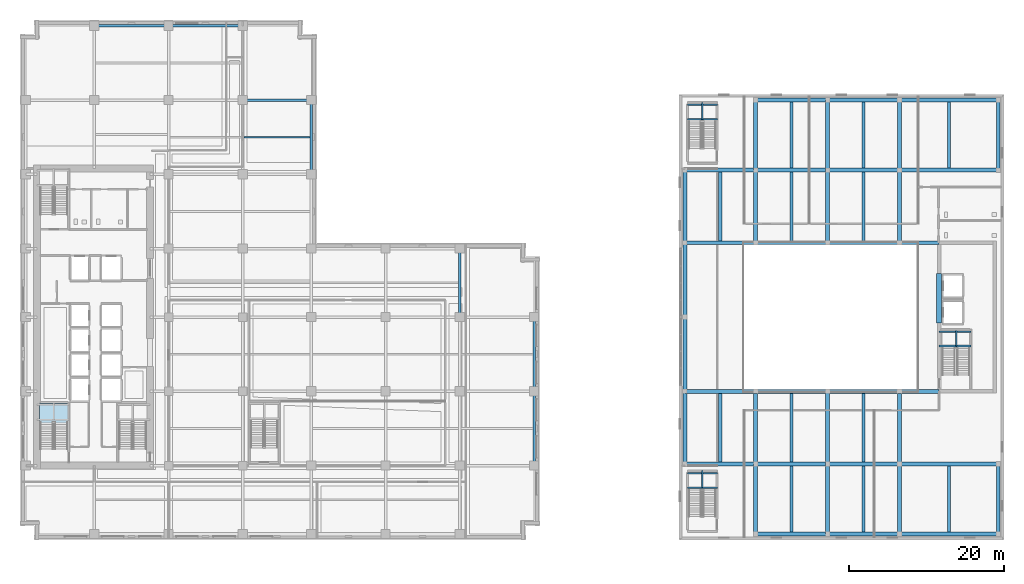
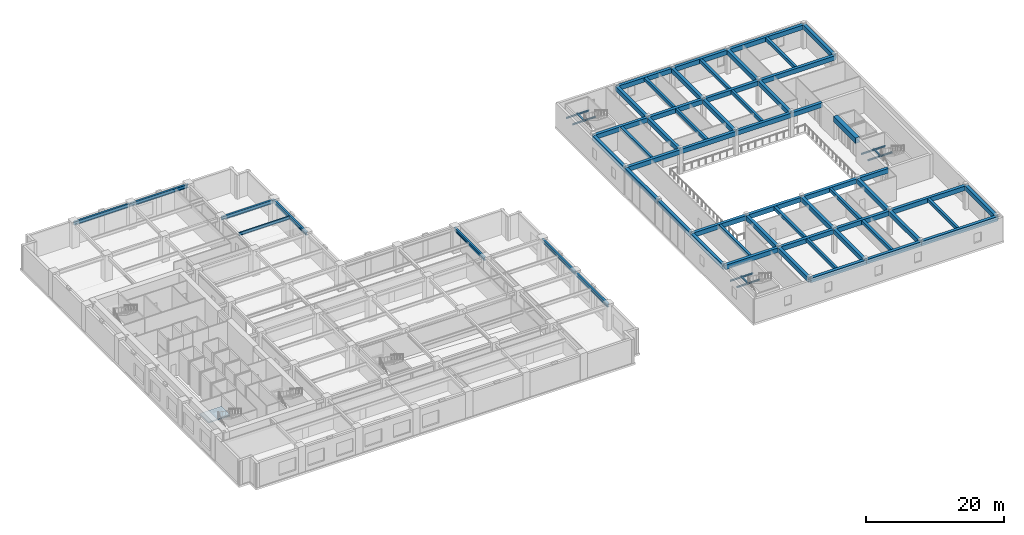
# One storey, part 3 of 24: 70 beams, 1 slab, 1 element without a shape of its own.
"""IFC4 building model written with IfcOpenShell, lengths in metres."""

from ifc_helpers import new_model, si_unit, direction, frame, origin, origin_2d, place, context, subcontext, project, spatial, polyline, rectangle, i_section, outline, extrude, material, layer, layer_set, material_profile, profile_set, type_object, element, aggregate, save


model = new_model("IFC4")

# Units and contexts
model_context = context("Model", 3, precision=1e-05, world=origin(), true_north=direction((0.0, 1.0)))
body_context = subcontext(model_context, "Body", "Model", "MODEL_VIEW")
ifc_project = project(units=[si_unit("LENGTHUNIT", "METRE"), si_unit("AREAUNIT", "SQUARE_METRE"), si_unit("VOLUMEUNIT", "CUBIC_METRE"), si_unit("PLANEANGLEUNIT", "RADIAN"), si_unit("MASSUNIT", "GRAM", prefix="KILO")], contexts=[model_context])

# Site, building, storey
site_placement = place(None, origin())
site = spatial("IfcSite", under=ifc_project, at=site_placement, CompositionType="ELEMENT")
building_placement = place(site_placement, origin())
building = spatial("IfcBuilding", under=site, at=building_placement, Name="Norrvale University Quadrangle", CompositionType="ELEMENT")
storey_placement = place(building_placement, frame((0.0, 0.0, 15.0)))
storey = spatial("IfcBuildingStorey", under=building, at=storey_placement, Name="L03", CompositionType="ELEMENT", Elevation=15.0)

# Beams
ifc_material_1 = material(Name="Steel 350W", Category="steel")
ifc_material_profile_1 = material_profile(ifc_material_1, i_section(OverallWidth=0.324951171875, OverallDepth=0.615966796875, WebThickness=0.013916015625, FlangeThickness=0.021484375, FilletRadius=0.01611328125, at=origin_2d()), Name="Steel 350W")
ifc_profile_set_1 = profile_set([ifc_material_profile_1], Name="Steel 350W")
beam_type_1 = type_object("IfcBeamType", Name="Beam Belt W610x174", PredefinedType="BEAM", material=ifc_profile_set_1)
beam_1_placement = place(storey_placement, frame((28.800048828125, 56.85009765625, 3.951904296875), z_axis=(1.0, 0.0, 0.0), x_axis=(0.0, 1.0, 0.0)))
element("IfcBeam", 1, at=beam_1_placement, inside=storey, type_object=beam_type_1, Name="Beam Belt W610x174 BM-L03-GX030", PredefinedType="BEAM", context=body_context, shape_type="SweptSolid", body=[
    extrude(i_section(OverallWidth=0.324951171875, OverallDepth=0.615966796875, WebThickness=0.013916015625, FlangeThickness=0.021484375, FilletRadius=0.01611328125, at=origin_2d()), origin(), (0.0, 0.0, 1.0), 8.849853515625),
])
beam_2_placement = place(storey_placement, frame((9.60009765625, 66.449951171875, 3.951904296875), z_axis=(1.0, 0.0, 0.0), x_axis=(0.0, 1.0, 0.0)))
element("IfcBeam", 2, at=beam_2_placement, inside=storey, type_object=beam_type_1, Name="Beam Belt W610x174 BM-L03-GX031", PredefinedType="BEAM", context=body_context, shape_type="SweptSolid", body=[
    extrude(i_section(OverallWidth=0.324951171875, OverallDepth=0.615966796875, WebThickness=0.013916015625, FlangeThickness=0.021484375, FilletRadius=0.01611328125, at=origin_2d()), origin(), (0.0, 0.0, 1.0), 9.599853515625),
])
for number, where, z_axis, x_axis, name in (
    (3, (19.199951171875, 66.449951171875, 3.951904296875), (1.0, 0.0, 0.0), (0.0, 1.0, 0.0), "Beam Belt W610x174 BM-L03-GX032"),
    (4, (37.64990234375, 47.25, 3.951904296875), (0.0, 1.0, 0.0), (-1.0, 0.0, 0.0), "Beam Belt W610x174 BM-L03-GY058"),
):
    element("IfcBeam", number, at=place(storey_placement, frame(where, z_axis=z_axis, x_axis=x_axis)), inside=storey, type_object=beam_type_1, Name=name, PredefinedType="BEAM", context=body_context, shape_type="SweptSolid", body=[
        extrude(i_section(OverallWidth=0.324951171875, OverallDepth=0.615966796875, WebThickness=0.013916015625, FlangeThickness=0.021484375, FilletRadius=0.01611328125, at=origin_2d()), origin(), (0.0, 0.0, 1.0), 9.60009765625),
    ])
beam_3_placement = place(storey_placement, frame((56.85009765625, 28.800048828125, 3.951904296875), z_axis=(0.0, 1.0, 0.0), x_axis=(-1.0, 0.0, 0.0)))
element("IfcBeam", 5, at=beam_3_placement, inside=storey, type_object=beam_type_1, Name="Beam Belt W610x174 BM-L03-GY066", PredefinedType="BEAM", context=body_context, shape_type="SweptSolid", body=[
    extrude(i_section(OverallWidth=0.324951171875, OverallDepth=0.615966796875, WebThickness=0.013916015625, FlangeThickness=0.021484375, FilletRadius=0.01611328125, at=origin_2d()), origin(), (0.0, 0.0, 1.0), 8.849853515625),
])
beam_4_placement = place(storey_placement, frame((66.449951171875, 9.60009765625, 3.951904296875), z_axis=(0.0, 1.0, 0.0), x_axis=(-1.0, 0.0, 0.0)))
element("IfcBeam", 6, at=beam_4_placement, inside=storey, type_object=beam_type_1, Name="Beam Belt W610x174 BM-L03-GY067", PredefinedType="BEAM", context=body_context, shape_type="SweptSolid", body=[
    extrude(i_section(OverallWidth=0.324951171875, OverallDepth=0.615966796875, WebThickness=0.013916015625, FlangeThickness=0.021484375, FilletRadius=0.01611328125, at=origin_2d()), origin(), (0.0, 0.0, 1.0), 9.599853515625),
])
beam_5_placement = place(storey_placement, frame((66.449951171875, 19.199951171875, 3.951904296875), z_axis=(0.0, 1.0, 0.0), x_axis=(-1.0, 0.0, 0.0)))
element("IfcBeam", 7, at=beam_5_placement, inside=storey, type_object=beam_type_1, Name="Beam Belt W610x174 BM-L03-GY068", PredefinedType="BEAM", context=body_context, shape_type="SweptSolid", body=[
    extrude(i_section(OverallWidth=0.324951171875, OverallDepth=0.615966796875, WebThickness=0.013916015625, FlangeThickness=0.021484375, FilletRadius=0.01611328125, at=origin_2d()), origin(), (0.0, 0.0, 1.0), 9.60009765625),
])
ifc_material_2 = material(Name="Concrete C80/95", Category="concrete")
ifc_material_profile_2 = material_profile(ifc_material_2, rectangle(XDim=0.699951171875, YDim=0.949951171875, at=origin_2d()), Name="Concrete C80/95")
ifc_profile_set_2 = profile_set([ifc_material_profile_2], Name="Concrete C80/95")
beam_type_2 = type_object("IfcBeamType", Name="Beam Core Link 700x950", PredefinedType="LINTEL", material=ifc_profile_set_2)
beam_6_placement = place(storey_placement, frame((118.800048828125, 28.0, 3.77490234375), z_axis=(0.0, 1.0, 0.0), x_axis=(-1.0, 0.0, 0.0)))
element("IfcBeam", 8, at=beam_6_placement, inside=storey, type_object=beam_type_2, Name="Library Core Coupling Lintel L03", PredefinedType="LINTEL", context=body_context, shape_type="SweptSolid", body=[
    extrude(rectangle(XDim=0.699951171875, YDim=0.949951171875, at=origin_2d()), origin(), (0.0, 0.0, 1.0), 6.39990234375),
])
ifc_material_profile_3 = material_profile(ifc_material_1, i_section(OverallWidth=0.2119140625, OverallDepth=0.5439453125, WebThickness=0.01318359375, FlangeThickness=0.021240234375, FilletRadius=0.013916015625, at=origin_2d()), Name="Steel 350W")
ifc_profile_set_3 = profile_set([ifc_material_profile_3], Name="Steel 350W")
beam_type_3 = type_object("IfcBeamType", Name="Beam Floor W530x123", PredefinedType="BEAM", material=ifc_profile_set_3)
beam_7_placement = place(storey_placement, frame((28.96240234375, 52.050048828125, 3.988037109375), z_axis=(1.0, 0.0, 0.0), x_axis=(0.0, 1.0, 0.0)))
element("IfcBeam", 9, at=beam_7_placement, inside=storey, type_object=beam_type_3, Name="Beam Floor W530x123 BM-L03-J091", PredefinedType="BEAM", context=body_context, shape_type="SweptSolid", body=[
    extrude(i_section(OverallWidth=0.2119140625, OverallDepth=0.5439453125, WebThickness=0.01318359375, FlangeThickness=0.021240234375, FilletRadius=0.013916015625, at=origin_2d()), origin(), (0.0, 0.0, 1.0), 8.525146484375),
])
ifc_material_3 = material(Name="Concrete C60/75", Category="concrete")
ifc_material_profile_4 = material_profile(ifc_material_3, rectangle(XDim=0.39990234375, YDim=0.60009765625, at=origin_2d()), Name="Concrete C60/75")
ifc_profile_set_4 = profile_set([ifc_material_profile_4], Name="Concrete C60/75")
beam_type_4 = type_object("IfcBeamType", Name="Beam Lib 400x600", PredefinedType="JOIST", material=ifc_profile_set_4)
beam_8_placement = place(storey_placement, frame((90.52490234375, 10.050048828125, 3.949951171875), z_axis=(0.0, 1.0, 0.0), x_axis=(-1.0, 0.0, 0.0)))
element("IfcBeam", 10, at=beam_8_placement, inside=storey, type_object=beam_type_4, Name="Beam Lib 400x600 BM-L03-LJ039", PredefinedType="JOIST", context=body_context, shape_type="SweptSolid", body=[
    extrude(rectangle(XDim=0.39990234375, YDim=0.60009765625, at=origin_2d()), origin(), (0.0, 0.0, 1.0), 8.89990234375),
])
beam_9_placement = place(storey_placement, frame((90.52490234375, 38.64990234375, 3.949951171875), z_axis=(0.0, 1.0, 0.0), x_axis=(-1.0, 0.0, 0.0)))
element("IfcBeam", 11, at=beam_9_placement, inside=storey, type_object=beam_type_4, Name="Beam Lib 400x600 BM-L03-LJ040", PredefinedType="JOIST", context=body_context, shape_type="SweptSolid", body=[
    extrude(rectangle(XDim=0.39990234375, YDim=0.60009765625, at=origin_2d()), origin(), (0.0, 0.0, 1.0), 8.900146484375),
])
beam_10_placement = place(storey_placement, frame((99.75, 1.0, 3.949951171875), z_axis=(0.0, 1.0, 0.0), x_axis=(-1.0, 0.0, 0.0)))
element("IfcBeam", 12, at=beam_10_placement, inside=storey, type_object=beam_type_4, Name="Beam Lib 400x600 BM-L03-LJ041", PredefinedType="JOIST", context=body_context, shape_type="SweptSolid", body=[
    extrude(rectangle(XDim=0.39990234375, YDim=0.60009765625, at=origin_2d()), origin(), (0.0, 0.0, 1.0), 8.550048828125),
])
beam_11_placement = place(storey_placement, frame((99.75, 10.050048828125, 3.949951171875), z_axis=(0.0, 1.0, 0.0), x_axis=(-1.0, 0.0, 0.0)))
element("IfcBeam", 13, at=beam_11_placement, inside=storey, type_object=beam_type_4, Name="Beam Lib 400x600 BM-L03-LJ042", PredefinedType="JOIST", context=body_context, shape_type="SweptSolid", body=[
    extrude(rectangle(XDim=0.39990234375, YDim=0.60009765625, at=origin_2d()), origin(), (0.0, 0.0, 1.0), 8.89990234375),
])
beam_12_placement = place(storey_placement, frame((99.75, 38.64990234375, 3.949951171875), z_axis=(0.0, 1.0, 0.0), x_axis=(-1.0, 0.0, 0.0)))
element("IfcBeam", 14, at=beam_12_placement, inside=storey, type_object=beam_type_4, Name="Beam Lib 400x600 BM-L03-LJ043", PredefinedType="JOIST", context=body_context, shape_type="SweptSolid", body=[
    extrude(rectangle(XDim=0.39990234375, YDim=0.60009765625, at=origin_2d()), origin(), (0.0, 0.0, 1.0), 8.900146484375),
])
for number, where, z_axis, x_axis, name in (
    (15, (99.75, 48.050048828125, 3.949951171875), (0.0, 1.0, 0.0), (-1.0, 0.0, 0.0), "Beam Lib 400x600 BM-L03-LJ044"),
    (16, (109.050048828125, 1.0, 3.949951171875), (0.0, 1.0, 0.0), (-1.0, 0.0, 0.0), "Beam Lib 400x600 BM-L03-LJ045"),
):
    element("IfcBeam", number, at=place(storey_placement, frame(where, z_axis=z_axis, x_axis=x_axis)), inside=storey, type_object=beam_type_4, Name=name, PredefinedType="JOIST", context=body_context, shape_type="SweptSolid", body=[
        extrude(rectangle(XDim=0.39990234375, YDim=0.60009765625, at=origin_2d()), origin(), (0.0, 0.0, 1.0), 8.550048828125),
    ])
beam_13_placement = place(storey_placement, frame((109.050048828125, 10.050048828125, 3.949951171875), z_axis=(0.0, 1.0, 0.0), x_axis=(-1.0, 0.0, 0.0)))
element("IfcBeam", 17, at=beam_13_placement, inside=storey, type_object=beam_type_4, Name="Beam Lib 400x600 BM-L03-LJ046", PredefinedType="JOIST", context=body_context, shape_type="SweptSolid", body=[
    extrude(rectangle(XDim=0.39990234375, YDim=0.60009765625, at=origin_2d()), origin(), (0.0, 0.0, 1.0), 8.89990234375),
])
beam_14_placement = place(storey_placement, frame((109.050048828125, 38.64990234375, 3.949951171875), z_axis=(0.0, 1.0, 0.0), x_axis=(-1.0, 0.0, 0.0)))
element("IfcBeam", 18, at=beam_14_placement, inside=storey, type_object=beam_type_4, Name="Beam Lib 400x600 BM-L03-LJ047", PredefinedType="JOIST", context=body_context, shape_type="SweptSolid", body=[
    extrude(rectangle(XDim=0.39990234375, YDim=0.60009765625, at=origin_2d()), origin(), (0.0, 0.0, 1.0), 8.900146484375),
])
for number, where, z_axis, x_axis, name in (
    (19, (109.050048828125, 48.050048828125, 3.949951171875), (0.0, 1.0, 0.0), (-1.0, 0.0, 0.0), "Beam Lib 400x600 BM-L03-LJ048"),
    (20, (120.074951171875, 1.0, 3.949951171875), (0.0, 1.0, 0.0), (-1.0, 0.0, 0.0), "Beam Lib 400x600 BM-L03-LJ049"),
    (21, (120.074951171875, 48.050048828125, 3.949951171875), (0.0, 1.0, 0.0), (-1.0, 0.0, 0.0), "Beam Lib 400x600 BM-L03-LJ050"),
):
    element("IfcBeam", number, at=place(storey_placement, frame(where, z_axis=z_axis, x_axis=x_axis)), inside=storey, type_object=beam_type_4, Name=name, PredefinedType="JOIST", context=body_context, shape_type="SweptSolid", body=[
        extrude(rectangle(XDim=0.39990234375, YDim=0.60009765625, at=origin_2d()), origin(), (0.0, 0.0, 1.0), 8.550048828125),
    ])
ifc_material_profile_5 = material_profile(ifc_material_3, rectangle(XDim=0.5, YDim=0.800048828125, at=origin_2d()), Name="Concrete C60/75")
ifc_profile_set_5 = profile_set([ifc_material_profile_5], Name="Concrete C60/75")
beam_type_5 = type_object("IfcBeamType", Name="Beam Lib 500x800", PredefinedType="BEAM", material=ifc_profile_set_5)
beam_15_placement = place(storey_placement, frame((95.10009765625, 0.75, 3.85009765625), z_axis=(1.0, 0.0, 0.0), x_axis=(0.0, 1.0, 0.0)))
element("IfcBeam", 22, at=beam_15_placement, inside=storey, type_object=beam_type_5, Name="Beam Lib 500x800 BM-L03-LGX001", PredefinedType="BEAM", context=body_context, shape_type="SweptSolid", body=[
    extrude(rectangle(XDim=0.5, YDim=0.800048828125, at=origin_2d()), origin(), (0.0, 0.0, 1.0), 9.2998046875),
])
beam_16_placement = place(storey_placement, frame((104.39990234375, 0.75, 3.85009765625), z_axis=(1.0, 0.0, 0.0), x_axis=(0.0, 1.0, 0.0)))
element("IfcBeam", 23, at=beam_16_placement, inside=storey, type_object=beam_type_5, Name="Beam Lib 500x800 BM-L03-LGX002", PredefinedType="BEAM", context=body_context, shape_type="SweptSolid", body=[
    extrude(rectangle(XDim=0.5, YDim=0.800048828125, at=origin_2d()), origin(), (0.0, 0.0, 1.0), 9.300048828125),
])
beam_17_placement = place(storey_placement, frame((113.699951171875, 0.75, 3.85009765625), z_axis=(1.0, 0.0, 0.0), x_axis=(0.0, 1.0, 0.0)))
element("IfcBeam", 24, at=beam_17_placement, inside=storey, type_object=beam_type_5, Name="Beam Lib 500x800 BM-L03-LGX003", PredefinedType="BEAM", context=body_context, shape_type="SweptSolid", body=[
    extrude(rectangle(XDim=0.5, YDim=0.800048828125, at=origin_2d()), origin(), (0.0, 0.0, 1.0), 12.75),
])
beam_18_placement = place(storey_placement, frame((85.949951171875, 9.800048828125, 3.85009765625), z_axis=(1.0, 0.0, 0.0), x_axis=(0.0, 1.0, 0.0)))
element("IfcBeam", 25, at=beam_18_placement, inside=storey, type_object=beam_type_5, Name="Beam Lib 500x800 BM-L03-LGX004", PredefinedType="BEAM", context=body_context, shape_type="SweptSolid", body=[
    extrude(rectangle(XDim=0.5, YDim=0.800048828125, at=origin_2d()), origin(), (0.0, 0.0, 1.0), 9.150146484375),
])
beam_19_placement = place(storey_placement, frame((95.10009765625, 9.800048828125, 3.85009765625), z_axis=(1.0, 0.0, 0.0), x_axis=(0.0, 1.0, 0.0)))
element("IfcBeam", 26, at=beam_19_placement, inside=storey, type_object=beam_type_5, Name="Beam Lib 500x800 BM-L03-LGX005", PredefinedType="BEAM", context=body_context, shape_type="SweptSolid", body=[
    extrude(rectangle(XDim=0.5, YDim=0.800048828125, at=origin_2d()), origin(), (0.0, 0.0, 1.0), 9.2998046875),
])
beam_20_placement = place(storey_placement, frame((104.39990234375, 9.800048828125, 3.85009765625), z_axis=(1.0, 0.0, 0.0), x_axis=(0.0, 1.0, 0.0)))
element("IfcBeam", 27, at=beam_20_placement, inside=storey, type_object=beam_type_5, Name="Beam Lib 500x800 BM-L03-LGX006", PredefinedType="BEAM", context=body_context, shape_type="SweptSolid", body=[
    extrude(rectangle(XDim=0.5, YDim=0.800048828125, at=origin_2d()), origin(), (0.0, 0.0, 1.0), 9.300048828125),
])
beam_21_placement = place(storey_placement, frame((113.699951171875, 9.800048828125, 3.85009765625), z_axis=(1.0, 0.0, 0.0), x_axis=(0.0, 1.0, 0.0)))
element("IfcBeam", 28, at=beam_21_placement, inside=storey, type_object=beam_type_5, Name="Beam Lib 500x800 BM-L03-LGX007", PredefinedType="BEAM", context=body_context, shape_type="SweptSolid", body=[
    extrude(rectangle(XDim=0.5, YDim=0.800048828125, at=origin_2d()), origin(), (0.0, 0.0, 1.0), 12.75),
])
beam_22_placement = place(storey_placement, frame((85.949951171875, 19.199951171875, 3.85009765625), z_axis=(1.0, 0.0, 0.0), x_axis=(0.0, 1.0, 0.0)))
element("IfcBeam", 29, at=beam_22_placement, inside=storey, type_object=beam_type_5, Name="Beam Lib 500x800 BM-L03-LGX008", PredefinedType="BEAM", context=body_context, shape_type="SweptSolid", body=[
    extrude(rectangle(XDim=0.5, YDim=0.800048828125, at=origin_2d()), origin(), (0.0, 0.0, 1.0), 9.150146484375),
])
beam_23_placement = place(storey_placement, frame((95.10009765625, 19.199951171875, 3.85009765625), z_axis=(1.0, 0.0, 0.0), x_axis=(0.0, 1.0, 0.0)))
element("IfcBeam", 30, at=beam_23_placement, inside=storey, type_object=beam_type_5, Name="Beam Lib 500x800 BM-L03-LGX009", PredefinedType="BEAM", context=body_context, shape_type="SweptSolid", body=[
    extrude(rectangle(XDim=0.5, YDim=0.800048828125, at=origin_2d()), origin(), (0.0, 0.0, 1.0), 9.2998046875),
])
beam_24_placement = place(storey_placement, frame((104.39990234375, 19.199951171875, 3.85009765625), z_axis=(1.0, 0.0, 0.0), x_axis=(0.0, 1.0, 0.0)))
element("IfcBeam", 31, at=beam_24_placement, inside=storey, type_object=beam_type_5, Name="Beam Lib 500x800 BM-L03-LGX010", PredefinedType="BEAM", context=body_context, shape_type="SweptSolid", body=[
    extrude(rectangle(XDim=0.5, YDim=0.800048828125, at=origin_2d()), origin(), (0.0, 0.0, 1.0), 9.300048828125),
])
beam_25_placement = place(storey_placement, frame((85.949951171875, 38.39990234375, 3.85009765625), z_axis=(1.0, 0.0, 0.0), x_axis=(0.0, 1.0, 0.0)))
element("IfcBeam", 32, at=beam_25_placement, inside=storey, type_object=beam_type_5, Name="Beam Lib 500x800 BM-L03-LGX011", PredefinedType="BEAM", context=body_context, shape_type="SweptSolid", body=[
    extrude(rectangle(XDim=0.5, YDim=0.800048828125, at=origin_2d()), origin(), (0.0, 0.0, 1.0), 9.150146484375),
])
beam_26_placement = place(storey_placement, frame((95.10009765625, 38.39990234375, 3.85009765625), z_axis=(1.0, 0.0, 0.0), x_axis=(0.0, 1.0, 0.0)))
element("IfcBeam", 33, at=beam_26_placement, inside=storey, type_object=beam_type_5, Name="Beam Lib 500x800 BM-L03-LGX012", PredefinedType="BEAM", context=body_context, shape_type="SweptSolid", body=[
    extrude(rectangle(XDim=0.5, YDim=0.800048828125, at=origin_2d()), origin(), (0.0, 0.0, 1.0), 9.2998046875),
])
beam_27_placement = place(storey_placement, frame((104.39990234375, 38.39990234375, 3.85009765625), z_axis=(1.0, 0.0, 0.0), x_axis=(0.0, 1.0, 0.0)))
element("IfcBeam", 34, at=beam_27_placement, inside=storey, type_object=beam_type_5, Name="Beam Lib 500x800 BM-L03-LGX013", PredefinedType="BEAM", context=body_context, shape_type="SweptSolid", body=[
    extrude(rectangle(XDim=0.5, YDim=0.800048828125, at=origin_2d()), origin(), (0.0, 0.0, 1.0), 9.300048828125),
])
beam_28_placement = place(storey_placement, frame((85.949951171875, 47.800048828125, 3.85009765625), z_axis=(1.0, 0.0, 0.0), x_axis=(0.0, 1.0, 0.0)))
element("IfcBeam", 35, at=beam_28_placement, inside=storey, type_object=beam_type_5, Name="Beam Lib 500x800 BM-L03-LGX014", PredefinedType="BEAM", context=body_context, shape_type="SweptSolid", body=[
    extrude(rectangle(XDim=0.5, YDim=0.800048828125, at=origin_2d()), origin(), (0.0, 0.0, 1.0), 9.150146484375),
])
beam_29_placement = place(storey_placement, frame((95.10009765625, 47.800048828125, 3.85009765625), z_axis=(1.0, 0.0, 0.0), x_axis=(0.0, 1.0, 0.0)))
element("IfcBeam", 36, at=beam_29_placement, inside=storey, type_object=beam_type_5, Name="Beam Lib 500x800 BM-L03-LGX015", PredefinedType="BEAM", context=body_context, shape_type="SweptSolid", body=[
    extrude(rectangle(XDim=0.5, YDim=0.800048828125, at=origin_2d()), origin(), (0.0, 0.0, 1.0), 9.2998046875),
])
beam_30_placement = place(storey_placement, frame((104.39990234375, 47.800048828125, 3.85009765625), z_axis=(1.0, 0.0, 0.0), x_axis=(0.0, 1.0, 0.0)))
element("IfcBeam", 37, at=beam_30_placement, inside=storey, type_object=beam_type_5, Name="Beam Lib 500x800 BM-L03-LGX016", PredefinedType="BEAM", context=body_context, shape_type="SweptSolid", body=[
    extrude(rectangle(XDim=0.5, YDim=0.800048828125, at=origin_2d()), origin(), (0.0, 0.0, 1.0), 9.300048828125),
])
beam_31_placement = place(storey_placement, frame((113.699951171875, 47.800048828125, 3.85009765625), z_axis=(1.0, 0.0, 0.0), x_axis=(0.0, 1.0, 0.0)))
element("IfcBeam", 38, at=beam_31_placement, inside=storey, type_object=beam_type_5, Name="Beam Lib 500x800 BM-L03-LGX017", PredefinedType="BEAM", context=body_context, shape_type="SweptSolid", body=[
    extrude(rectangle(XDim=0.5, YDim=0.800048828125, at=origin_2d()), origin(), (0.0, 0.0, 1.0), 12.75),
])
beam_32_placement = place(storey_placement, frame((95.10009765625, 56.85009765625, 3.85009765625), z_axis=(1.0, 0.0, 0.0), x_axis=(0.0, 1.0, 0.0)))
element("IfcBeam", 39, at=beam_32_placement, inside=storey, type_object=beam_type_5, Name="Beam Lib 500x800 BM-L03-LGX018", PredefinedType="BEAM", context=body_context, shape_type="SweptSolid", body=[
    extrude(rectangle(XDim=0.5, YDim=0.800048828125, at=origin_2d()), origin(), (0.0, 0.0, 1.0), 9.2998046875),
])
beam_33_placement = place(storey_placement, frame((104.39990234375, 56.85009765625, 3.85009765625), z_axis=(1.0, 0.0, 0.0), x_axis=(0.0, 1.0, 0.0)))
element("IfcBeam", 40, at=beam_33_placement, inside=storey, type_object=beam_type_5, Name="Beam Lib 500x800 BM-L03-LGX019", PredefinedType="BEAM", context=body_context, shape_type="SweptSolid", body=[
    extrude(rectangle(XDim=0.5, YDim=0.800048828125, at=origin_2d()), origin(), (0.0, 0.0, 1.0), 9.300048828125),
])
beam_34_placement = place(storey_placement, frame((113.699951171875, 56.85009765625, 3.85009765625), z_axis=(1.0, 0.0, 0.0), x_axis=(0.0, 1.0, 0.0)))
element("IfcBeam", 41, at=beam_34_placement, inside=storey, type_object=beam_type_5, Name="Beam Lib 500x800 BM-L03-LGX020", PredefinedType="BEAM", context=body_context, shape_type="SweptSolid", body=[
    extrude(rectangle(XDim=0.5, YDim=0.800048828125, at=origin_2d()), origin(), (0.0, 0.0, 1.0), 12.75),
])
beam_35_placement = place(storey_placement, frame((85.949951171875, 9.800048828125, 3.85009765625), z_axis=(0.0, 1.0, 0.0), x_axis=(-1.0, 0.0, 0.0)))
element("IfcBeam", 42, at=beam_35_placement, inside=storey, type_object=beam_type_5, Name="Beam Lib 500x800 BM-L03-LGY021", PredefinedType="BEAM", context=body_context, shape_type="SweptSolid", body=[
    extrude(rectangle(XDim=0.5, YDim=0.800048828125, at=origin_2d()), origin(), (0.0, 0.0, 1.0), 9.39990234375),
])
beam_36_placement = place(storey_placement, frame((85.949951171875, 19.199951171875, 3.85009765625), z_axis=(0.0, 1.0, 0.0), x_axis=(-1.0, 0.0, 0.0)))
element("IfcBeam", 43, at=beam_36_placement, inside=storey, type_object=beam_type_5, Name="Beam Lib 500x800 BM-L03-LGY022", PredefinedType="BEAM", context=body_context, shape_type="SweptSolid", body=[
    extrude(rectangle(XDim=0.5, YDim=0.800048828125, at=origin_2d()), origin(), (0.0, 0.0, 1.0), 9.60009765625),
])
beam_37_placement = place(storey_placement, frame((85.949951171875, 28.800048828125, 3.85009765625), z_axis=(0.0, 1.0, 0.0), x_axis=(-1.0, 0.0, 0.0)))
element("IfcBeam", 44, at=beam_37_placement, inside=storey, type_object=beam_type_5, Name="Beam Lib 500x800 BM-L03-LGY023", PredefinedType="BEAM", context=body_context, shape_type="SweptSolid", body=[
    extrude(rectangle(XDim=0.5, YDim=0.800048828125, at=origin_2d()), origin(), (0.0, 0.0, 1.0), 9.599853515625),
])
beam_38_placement = place(storey_placement, frame((85.949951171875, 38.39990234375, 3.85009765625), z_axis=(0.0, 1.0, 0.0), x_axis=(-1.0, 0.0, 0.0)))
element("IfcBeam", 45, at=beam_38_placement, inside=storey, type_object=beam_type_5, Name="Beam Lib 500x800 BM-L03-LGY024", PredefinedType="BEAM", context=body_context, shape_type="SweptSolid", body=[
    extrude(rectangle(XDim=0.5, YDim=0.800048828125, at=origin_2d()), origin(), (0.0, 0.0, 1.0), 9.400146484375),
])
beam_39_placement = place(storey_placement, frame((95.10009765625, 0.75, 3.85009765625), z_axis=(0.0, 1.0, 0.0), x_axis=(-1.0, 0.0, 0.0)))
element("IfcBeam", 46, at=beam_39_placement, inside=storey, type_object=beam_type_5, Name="Beam Lib 500x800 BM-L03-LGY025", PredefinedType="BEAM", context=body_context, shape_type="SweptSolid", body=[
    extrude(rectangle(XDim=0.5, YDim=0.800048828125, at=origin_2d()), origin(), (0.0, 0.0, 1.0), 9.050048828125),
])
beam_40_placement = place(storey_placement, frame((95.10009765625, 9.800048828125, 3.85009765625), z_axis=(0.0, 1.0, 0.0), x_axis=(-1.0, 0.0, 0.0)))
element("IfcBeam", 47, at=beam_40_placement, inside=storey, type_object=beam_type_5, Name="Beam Lib 500x800 BM-L03-LGY026", PredefinedType="BEAM", context=body_context, shape_type="SweptSolid", body=[
    extrude(rectangle(XDim=0.5, YDim=0.800048828125, at=origin_2d()), origin(), (0.0, 0.0, 1.0), 9.39990234375),
])
beam_41_placement = place(storey_placement, frame((95.10009765625, 38.39990234375, 3.85009765625), z_axis=(0.0, 1.0, 0.0), x_axis=(-1.0, 0.0, 0.0)))
element("IfcBeam", 48, at=beam_41_placement, inside=storey, type_object=beam_type_5, Name="Beam Lib 500x800 BM-L03-LGY027", PredefinedType="BEAM", context=body_context, shape_type="SweptSolid", body=[
    extrude(rectangle(XDim=0.5, YDim=0.800048828125, at=origin_2d()), origin(), (0.0, 0.0, 1.0), 9.400146484375),
])
for number, where, z_axis, x_axis, name in (
    (49, (95.10009765625, 47.800048828125, 3.85009765625), (0.0, 1.0, 0.0), (-1.0, 0.0, 0.0), "Beam Lib 500x800 BM-L03-LGY028"),
    (50, (104.39990234375, 0.75, 3.85009765625), (0.0, 1.0, 0.0), (-1.0, 0.0, 0.0), "Beam Lib 500x800 BM-L03-LGY029"),
):
    element("IfcBeam", number, at=place(storey_placement, frame(where, z_axis=z_axis, x_axis=x_axis)), inside=storey, type_object=beam_type_5, Name=name, PredefinedType="BEAM", context=body_context, shape_type="SweptSolid", body=[
        extrude(rectangle(XDim=0.5, YDim=0.800048828125, at=origin_2d()), origin(), (0.0, 0.0, 1.0), 9.050048828125),
    ])
beam_42_placement = place(storey_placement, frame((104.39990234375, 9.800048828125, 3.85009765625), z_axis=(0.0, 1.0, 0.0), x_axis=(-1.0, 0.0, 0.0)))
element("IfcBeam", 51, at=beam_42_placement, inside=storey, type_object=beam_type_5, Name="Beam Lib 500x800 BM-L03-LGY030", PredefinedType="BEAM", context=body_context, shape_type="SweptSolid", body=[
    extrude(rectangle(XDim=0.5, YDim=0.800048828125, at=origin_2d()), origin(), (0.0, 0.0, 1.0), 9.39990234375),
])
beam_43_placement = place(storey_placement, frame((104.39990234375, 38.39990234375, 3.85009765625), z_axis=(0.0, 1.0, 0.0), x_axis=(-1.0, 0.0, 0.0)))
element("IfcBeam", 52, at=beam_43_placement, inside=storey, type_object=beam_type_5, Name="Beam Lib 500x800 BM-L03-LGY031", PredefinedType="BEAM", context=body_context, shape_type="SweptSolid", body=[
    extrude(rectangle(XDim=0.5, YDim=0.800048828125, at=origin_2d()), origin(), (0.0, 0.0, 1.0), 9.400146484375),
])
for number, where, z_axis, x_axis, name in (
    (53, (104.39990234375, 47.800048828125, 3.85009765625), (0.0, 1.0, 0.0), (-1.0, 0.0, 0.0), "Beam Lib 500x800 BM-L03-LGY032"),
    (54, (113.699951171875, 0.75, 3.85009765625), (0.0, 1.0, 0.0), (-1.0, 0.0, 0.0), "Beam Lib 500x800 BM-L03-LGY033"),
):
    element("IfcBeam", number, at=place(storey_placement, frame(where, z_axis=z_axis, x_axis=x_axis)), inside=storey, type_object=beam_type_5, Name=name, PredefinedType="BEAM", context=body_context, shape_type="SweptSolid", body=[
        extrude(rectangle(XDim=0.5, YDim=0.800048828125, at=origin_2d()), origin(), (0.0, 0.0, 1.0), 9.050048828125),
    ])
beam_44_placement = place(storey_placement, frame((113.699951171875, 9.800048828125, 3.85009765625), z_axis=(0.0, 1.0, 0.0), x_axis=(-1.0, 0.0, 0.0)))
element("IfcBeam", 55, at=beam_44_placement, inside=storey, type_object=beam_type_5, Name="Beam Lib 500x800 BM-L03-LGY034", PredefinedType="BEAM", context=body_context, shape_type="SweptSolid", body=[
    extrude(rectangle(XDim=0.5, YDim=0.800048828125, at=origin_2d()), origin(), (0.0, 0.0, 1.0), 9.39990234375),
])
beam_45_placement = place(storey_placement, frame((113.699951171875, 38.39990234375, 3.85009765625), z_axis=(0.0, 1.0, 0.0), x_axis=(-1.0, 0.0, 0.0)))
element("IfcBeam", 56, at=beam_45_placement, inside=storey, type_object=beam_type_5, Name="Beam Lib 500x800 BM-L03-LGY035", PredefinedType="BEAM", context=body_context, shape_type="SweptSolid", body=[
    extrude(rectangle(XDim=0.5, YDim=0.800048828125, at=origin_2d()), origin(), (0.0, 0.0, 1.0), 9.400146484375),
])
for number, where, z_axis, x_axis, name in (
    (57, (113.699951171875, 47.800048828125, 3.85009765625), (0.0, 1.0, 0.0), (-1.0, 0.0, 0.0), "Beam Lib 500x800 BM-L03-LGY036"),
    (58, (126.449951171875, 0.75, 3.85009765625), (0.0, 1.0, 0.0), (-1.0, 0.0, 0.0), "Beam Lib 500x800 BM-L03-LGY037"),
    (59, (126.449951171875, 47.800048828125, 3.85009765625), (0.0, 1.0, 0.0), (-1.0, 0.0, 0.0), "Beam Lib 500x800 BM-L03-LGY038"),
):
    element("IfcBeam", number, at=place(storey_placement, frame(where, z_axis=z_axis, x_axis=x_axis)), inside=storey, type_object=beam_type_5, Name=name, PredefinedType="BEAM", context=body_context, shape_type="SweptSolid", body=[
        extrude(rectangle(XDim=0.5, YDim=0.800048828125, at=origin_2d()), origin(), (0.0, 0.0, 1.0), 9.050048828125),
    ])
for number, where, z_axis, x_axis, name in (
    (60, (113.699951171875, 19.199951171875, 3.85009765625), (1.0, 0.0, 0.0), (0.0, 1.0, 0.0), "Beam Lib 500x800 BM-L03-LCTIE051"),
    (61, (113.699951171875, 38.39990234375, 3.85009765625), (1.0, 0.0, 0.0), (0.0, 1.0, 0.0), "Beam Lib 500x800 BM-L03-LCTIE052"),
):
    element("IfcBeam", number, at=place(storey_placement, frame(where, z_axis=z_axis, x_axis=x_axis)), inside=storey, type_object=beam_type_5, Name=name, PredefinedType="BEAM", context=body_context, shape_type="SweptSolid", body=[
        extrude(rectangle(XDim=0.5, YDim=0.800048828125, at=origin_2d()), origin(), (0.0, 0.0, 1.0), 5.10009765625),
    ])
ifc_material_profile_6 = material_profile(ifc_material_1, i_section(OverallWidth=0.201904296875, OverallDepth=0.2470703125, WebThickness=0.00732421875, FlangeThickness=0.010986328125, FilletRadius=0.011962890625, at=origin_2d()), Name="Steel 350W")
ifc_profile_set_6 = profile_set([ifc_material_profile_6], Name="Steel 350W")
beam_type_6 = type_object("IfcBeamType", Name="Beam Stair W250x49", PredefinedType="BEAM", material=ifc_profile_set_6)
for number, where, z_axis, x_axis, name in (
    (62, (118.800048828125, 25.06005859375, 1.9765625), (1.0, 0.0, 0.0), (0.0, 1.0, 0.0), "Stair Mid-Landing Front Beam ST-L1 L03"),
    (63, (118.800048828125, 26.919921875, 1.9765625), (1.0, 0.0, 0.0), (0.0, 1.0, 0.0), "Stair Mid-Landing Rear Beam ST-L1 L03"),
):
    element("IfcBeam", number, at=place(storey_placement, frame(where, z_axis=z_axis, x_axis=x_axis)), inside=storey, type_object=beam_type_6, Name=name, PredefinedType="BEAM", context=body_context, shape_type="SweptSolid", body=[
        extrude(i_section(OverallWidth=0.201904296875, OverallDepth=0.2470703125, WebThickness=0.00732421875, FlangeThickness=0.010986328125, FilletRadius=0.011962890625, at=origin_2d()), origin(), (0.0, 0.0, 1.0), 4.139892578125),
    ])
for number, where, z_axis, x_axis, name in (
    (64, (86.260009765625, 6.760009765625, 1.9765625), (1.0, 0.0, 0.0), (0.0, 1.0, 0.0), "Stair Mid-Landing Front Beam ST-L2 L03"),
    (65, (86.260009765625, 8.6201171875, 1.9765625), (1.0, 0.0, 0.0), (0.0, 1.0, 0.0), "Stair Mid-Landing Rear Beam ST-L2 L03"),
    (66, (86.260009765625, 54.360107421875, 1.9765625), (1.0, 0.0, 0.0), (0.0, 1.0, 0.0), "Stair Mid-Landing Front Beam ST-L3 L03"),
    (67, (86.260009765625, 56.219970703125, 1.9765625), (1.0, 0.0, 0.0), (0.0, 1.0, 0.0), "Stair Mid-Landing Rear Beam ST-L3 L03"),
):
    element("IfcBeam", number, at=place(storey_placement, frame(where, z_axis=z_axis, x_axis=x_axis)), inside=storey, type_object=beam_type_6, Name=name, PredefinedType="BEAM", context=body_context, shape_type="SweptSolid", body=[
        extrude(i_section(OverallWidth=0.201904296875, OverallDepth=0.2470703125, WebThickness=0.00732421875, FlangeThickness=0.010986328125, FilletRadius=0.011962890625, at=origin_2d()), origin(), (0.0, 0.0, 1.0), 3.8798828125),
    ])
ifc_material_profile_7 = material_profile(ifc_material_1, i_section(OverallWidth=0.202880859375, OverallDepth=0.202880859375, WebThickness=0.007080078125, FlangeThickness=0.010986328125, FilletRadius=0.010009765625, at=origin_2d()), Name="Steel 350W")
ifc_profile_set_7 = profile_set([ifc_material_profile_7], Name="Steel 350W")
beam_type_7 = type_object("IfcBeamType", Name="Beam Trim W200x46", PredefinedType="BEAM", material=ifc_profile_set_7)
for number, where, z_axis, x_axis, name in (
    (68, (121.0, 25.06005859375, 1.99853515625), (0.0, 1.0, 0.0), (-1.0, 0.0, 0.0), "Stair Mid-Landing Cross Beam ST-L1 L03"),
    (69, (88.199951171875, 6.760009765625, 1.99853515625), (0.0, 1.0, 0.0), (-1.0, 0.0, 0.0), "Stair Mid-Landing Cross Beam ST-L2 L03"),
    (70, (88.199951171875, 54.360107421875, 1.99853515625), (0.0, 1.0, 0.0), (-1.0, 0.0, 0.0), "Stair Mid-Landing Cross Beam ST-L3 L03"),
):
    element("IfcBeam", number, at=place(storey_placement, frame(where, z_axis=z_axis, x_axis=x_axis)), inside=storey, type_object=beam_type_7, Name=name, PredefinedType="BEAM", context=body_context, shape_type="SweptSolid", body=[
        extrude(i_section(OverallWidth=0.202880859375, OverallDepth=0.202880859375, WebThickness=0.007080078125, FlangeThickness=0.010986328125, FilletRadius=0.010009765625, at=origin_2d()), origin(), (0.0, 0.0, 1.0), 2.179931640625),
    ])

# Stair, slab
ifc_material_4 = material(Name="Concrete C40/50", Category="concrete")
stair_type = type_object("IfcStairType", Name="Stair Tower Pod 4600", PredefinedType="TWO_STRAIGHT_RUN_STAIR", material=ifc_material_4)
stair_placement = place(storey_placement, origin())
stair = element("IfcStair", 71, at=stair_placement, inside=storey, type_object=stair_type, Name="Exit Stair ST-01 L03", PredefinedType="TWO_STRAIGHT_RUN_STAIR")
ifc_layer = layer(ifc_material_4, 0.199951171875, Name="Concrete C40/50")
ifc_layer_set = layer_set([ifc_layer], Name="Concrete C40/50")
slab_type = type_object("IfcSlabType", Name="Slab Landing 200", PredefinedType="LANDING", material=ifc_layer_set)
slab_placement = place(storey_placement, frame((0.0, 0.0, 2.10009765625)))
slab = element("IfcSlab", 72, at=slab_placement, type_object=slab_type, Name="Exit Stair ST-01 L03 Mid Landing", PredefinedType="LANDING", context=body_context, shape_type="SweptSolid", body=[
    extrude(outline(polyline([(2.550048828125, 15.110107421875), (6.199951171875, 15.110107421875), (6.199951171875, 17.64990234375), (2.550048828125, 17.64990234375), (2.550048828125, 15.110107421875)])), origin(), (0.0, 0.0, 1.0), 0.199951171875),
])
aggregate(stair, [slab])

save(model, "model.ifc")
